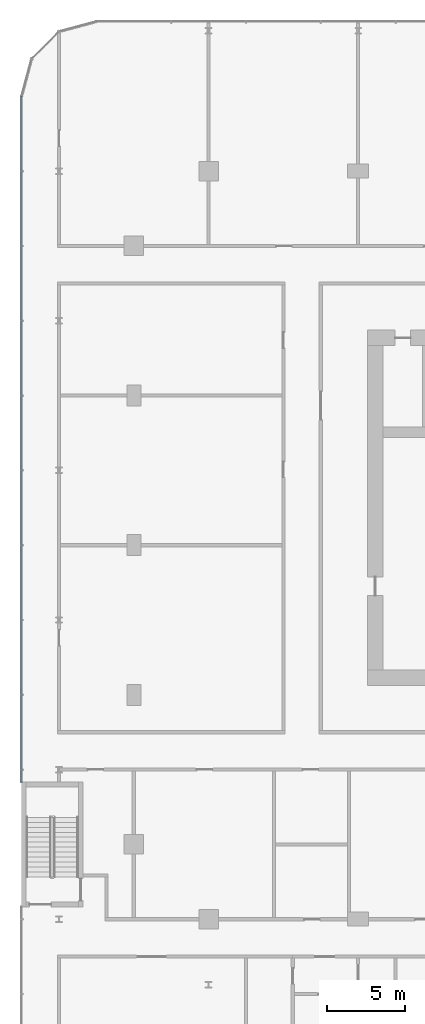
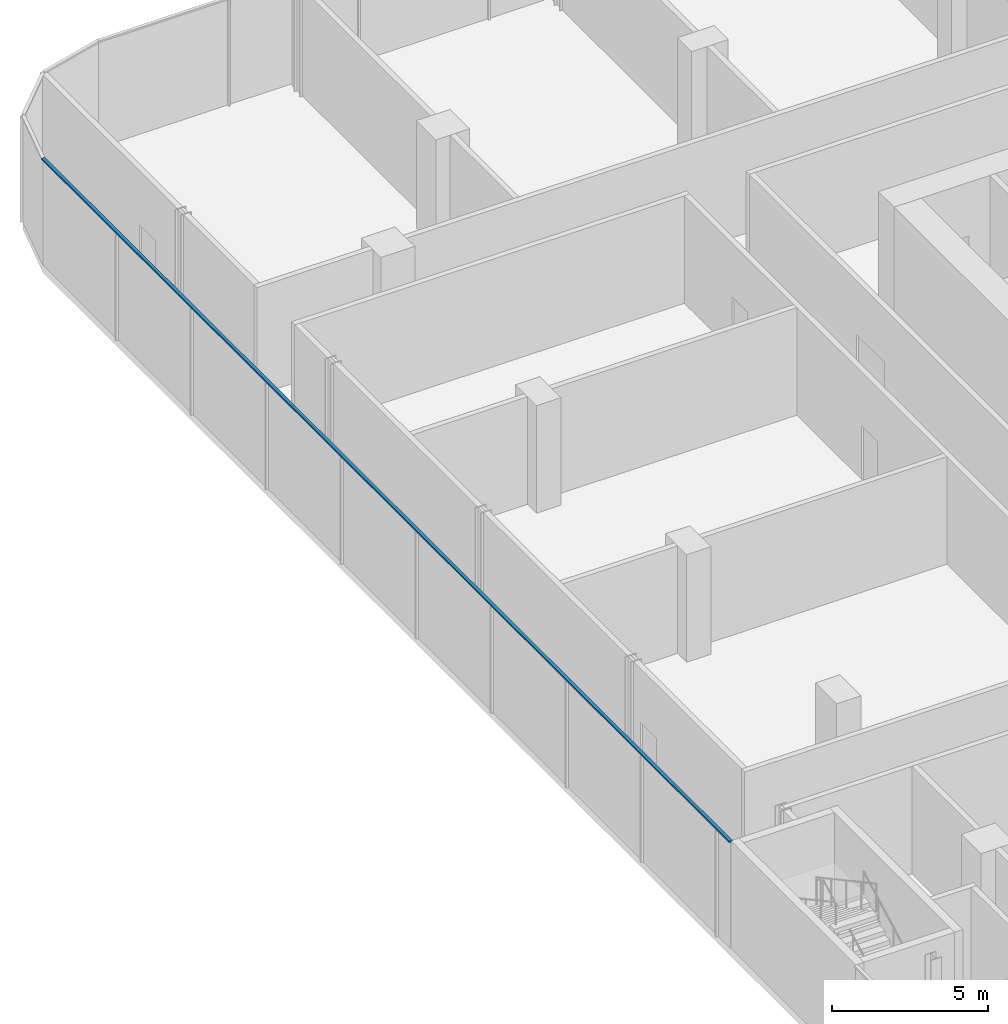
# One storey, part 14 of 43: 1 member, 1 element without a shape of its own.
"""IFC4 building model written with IfcOpenShell, lengths in metres."""

from ifc_helpers import new_model, si_unit, direction, frame, origin, origin_2d, place, context, subcontext, project, spatial, rectangle, extrude, material, layer, layer_set, material_profile, profile_set, type_object, element, aggregate, save


model = new_model("IFC4")

# Units and contexts
model_context = context("Model", 3, precision=1e-05, world=origin(), true_north=direction((0.0, 1.0)))
body_context = subcontext(model_context, "Body", "Model", "MODEL_VIEW")
ifc_project = project(units=[si_unit("LENGTHUNIT", "METRE"), si_unit("AREAUNIT", "SQUARE_METRE"), si_unit("VOLUMEUNIT", "CUBIC_METRE"), si_unit("PLANEANGLEUNIT", "RADIAN"), si_unit("MASSUNIT", "GRAM", prefix="KILO")], contexts=[model_context])

# Site, building, storey
site_placement = place(None, origin())
site = spatial("IfcSite", under=ifc_project, at=site_placement, CompositionType="ELEMENT")
building_placement = place(site_placement, origin())
building = spatial("IfcBuilding", under=site, at=building_placement, Name="Madar Terraces", CompositionType="ELEMENT")
storey_placement = place(building_placement, frame((0.0, 0.0, 10.5)))
storey = spatial("IfcBuildingStorey", under=building, at=storey_placement, Name="L02", CompositionType="ELEMENT", Elevation=10.5)

# Curtain wall, member
ifc_material_1 = material(Name="Glass, clear low-iron, with black aluminium frame", Category="aluminium")
ifc_layer = layer(ifc_material_1, 0.199951171875)
ifc_layer_set = layer_set([ifc_layer], Name="Facade curtain wall, shopfront glazing")
curtain_wall_type = type_object("IfcCurtainWallType", Name="Facade curtain wall, shopfront glazing", PredefinedType="NOTDEFINED", material=ifc_layer_set)
curtain_wall_placement = place(storey_placement, origin())
curtain_wall = element("IfcCurtainWall", 1, at=curtain_wall_placement, inside=storey, type_object=curtain_wall_type, Name="Outer skin curtain wall west bay 1", PredefinedType="NOTDEFINED")
ifc_material_2 = material(Name="Aluminium, black anodised", Category="aluminium")
ifc_material_profile = material_profile(ifc_material_2, rectangle(XDim=0.1201171875, YDim=0.06005859375, at=origin_2d()), Name="Facade transom 60x120")
ifc_profile_set = profile_set([ifc_material_profile], Name="Aluminium, black anodised")
member_type = type_object("IfcMemberType", Name="Facade transom 60x120", PredefinedType="USERDEFINED", material=ifc_profile_set)
member_placement = place(storey_placement, frame((-7.199951171875, 52.800048828125, 4.169921875), z_axis=(0.0, -1.0, 0.0), x_axis=(1.0, 0.0, 0.0)))
member = element("IfcMember", 2, at=member_placement, type_object=member_type, Name="Transom 1", ObjectType="TRANSOM", PredefinedType="USERDEFINED", context=body_context, shape_type="SweptSolid", body=[
    extrude(rectangle(XDim=0.1201171875, YDim=0.06005859375, at=origin_2d()), origin(), (0.0, 0.0, 1.0), 44.0),
])
aggregate(curtain_wall, [member])

save(model, "model.ifc")
